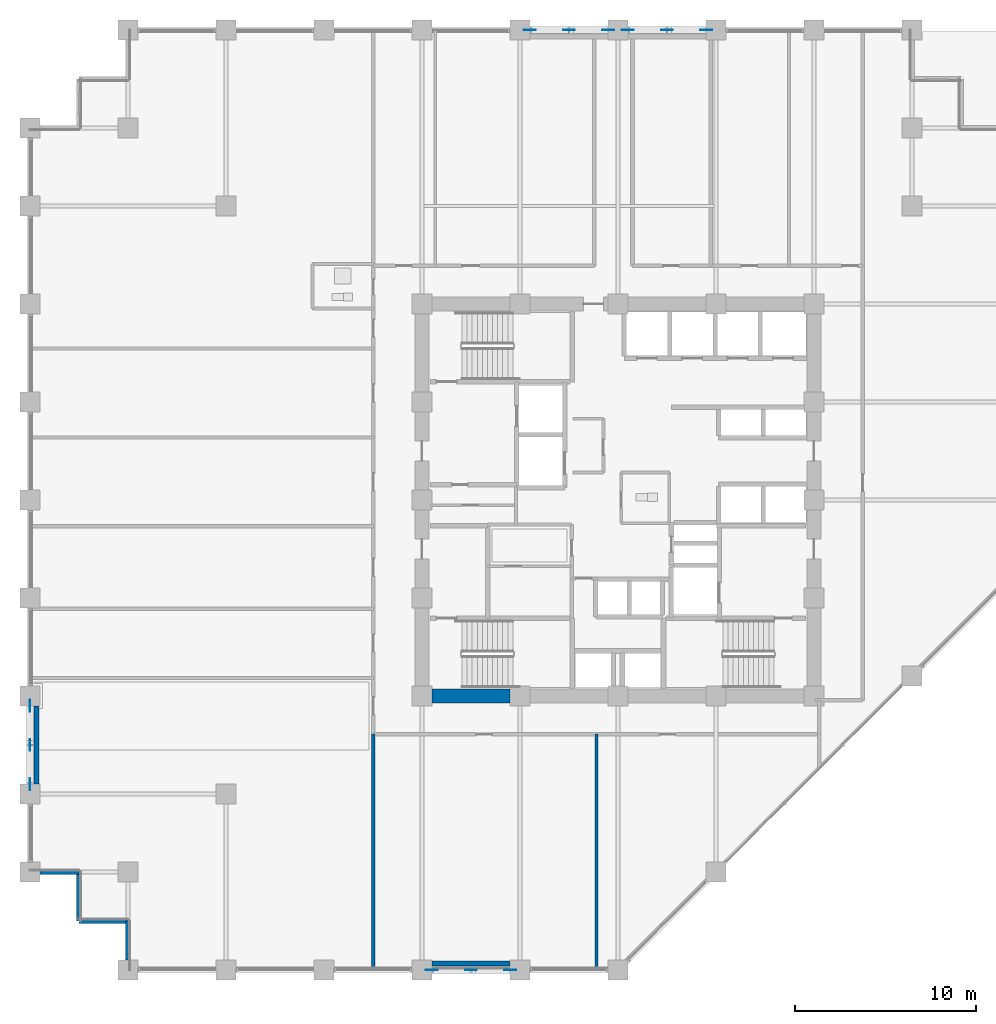
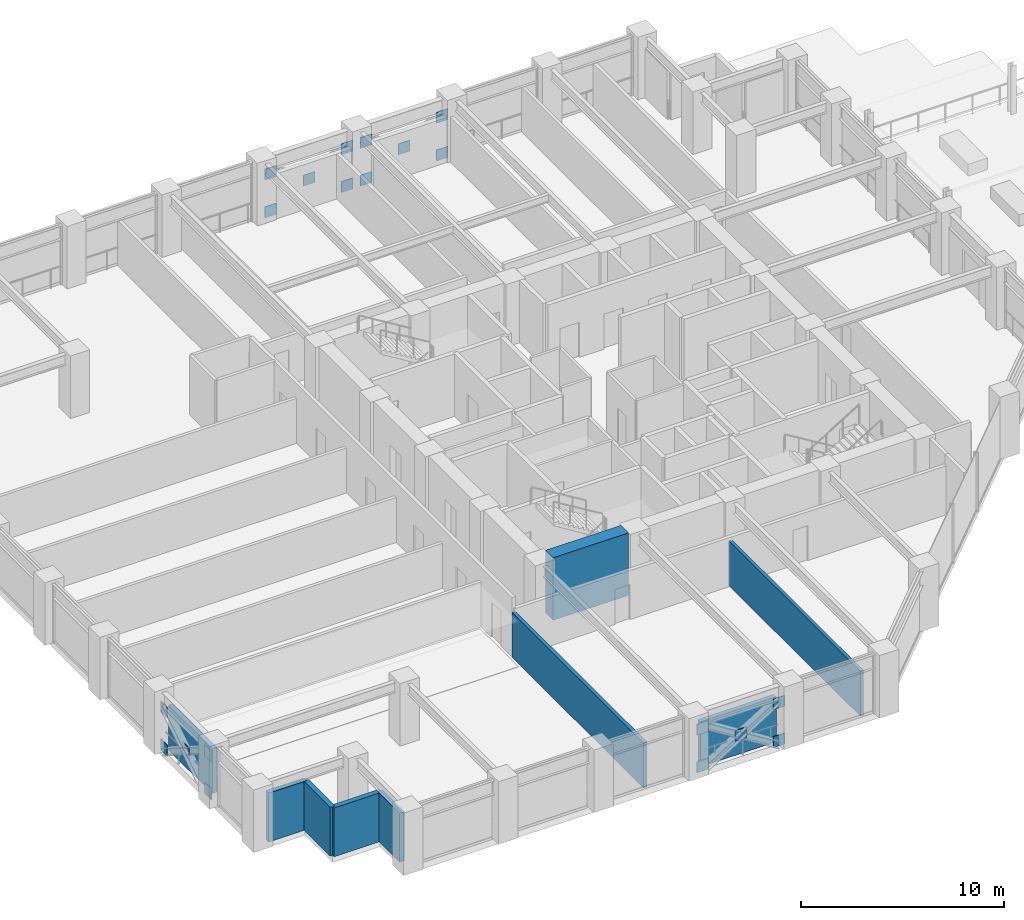
# One storey, part 19 of 30: 20 plates, 9 walls.
"""IFC4 building model written with IfcOpenShell, lengths in metres."""

from ifc_helpers import new_model, si_unit, direction, frame, frame_2d, origin, origin_2d, place, context, subcontext, project, spatial, rectangle, extrude, material, layer, layer_set, type_object, element, save


model = new_model("IFC4")

# Units and contexts
model_context = context("Model", 3, precision=1e-05, world=origin(), true_north=direction((0.0, 1.0)))
body_context = subcontext(model_context, "Body", "Model", "MODEL_VIEW")
ifc_project = project(units=[si_unit("LENGTHUNIT", "METRE"), si_unit("AREAUNIT", "SQUARE_METRE"), si_unit("VOLUMEUNIT", "CUBIC_METRE"), si_unit("PLANEANGLEUNIT", "RADIAN"), si_unit("MASSUNIT", "GRAM", prefix="KILO")], contexts=[model_context])

# Site, building, storey
site_placement = place(None, origin())
site = spatial("IfcSite", under=ifc_project, at=site_placement, CompositionType="ELEMENT")
building_placement = place(site_placement, origin())
building = spatial("IfcBuilding", under=site, at=building_placement, Name="Surkhivell Harbour Commons", CompositionType="ELEMENT")
storey_placement = place(building_placement, frame((0.0, 0.0, 83.25)))
storey = spatial("IfcBuildingStorey", under=building, at=storey_placement, Name="L21", CompositionType="ELEMENT", Elevation=83.25)

# Plates
ifc_material_1 = material(Name="Steel S460", Category="steel")
ifc_layer_1 = layer(ifc_material_1, 0.044921875)
ifc_layer_set_1 = layer_set([ifc_layer_1], Name="Steel S460")
plate_type = type_object("IfcPlateType", Name="PLT-GUS-650", PredefinedType="USERDEFINED", material=ifc_layer_set_1)
for number, where, z_axis, x_axis, name in (
    (1, (-4.864990234375, 25.89990234375, -0.08935546875), (0.0, 0.0, 1.0), (1.0, 0.0, 0.0), "L21 Perimeter Mega-Brace MB- Corner Gusset N-1"),
    (2, (-0.534912109375, 25.89990234375, -0.08935546875), (0.0, 0.0, 1.0), (1.0, 0.0, 0.0), "L21 Perimeter Mega-Brace MB- Corner Gusset N-2"),
    (3, (-4.864990234375, 25.89990234375, 2.170654296875), (0.0, 0.0, 1.0), (1.0, 0.0, 0.0), "L21 Perimeter Mega-Brace MB- Corner Gusset N-3"),
    (4, (-0.534912109375, 25.89990234375, 2.170654296875), (0.0, 0.0, 1.0), (1.0, 0.0, 0.0), "L21 Perimeter Mega-Brace MB- Corner Gusset N-4"),
    (5, (-2.699951171875, 25.89990234375, 1.04052734375), (0.0, 0.0, 1.0), (1.0, 0.0, 0.0), "L21 Perimeter Mega-Brace MB- Central Crossing Gusset N"),
    (6, (0.534912109375, 25.89990234375, -0.08935546875), (0.0, 0.0, 1.0), (1.0, 0.0, 0.0), "L21 Perimeter Mega-Brace MB- Corner Gusset N2-1"),
    (7, (4.864990234375, 25.89990234375, -0.08935546875), (0.0, 0.0, 1.0), (1.0, 0.0, 0.0), "L21 Perimeter Mega-Brace MB- Corner Gusset N2-2"),
    (8, (0.534912109375, 25.89990234375, 2.170654296875), (0.0, 0.0, 1.0), (1.0, 0.0, 0.0), "L21 Perimeter Mega-Brace MB- Corner Gusset N2-3"),
    (9, (4.864990234375, 25.89990234375, 2.170654296875), (0.0, 0.0, 1.0), (1.0, 0.0, 0.0), "L21 Perimeter Mega-Brace MB- Corner Gusset N2-4"),
    (10, (2.699951171875, 25.89990234375, 1.04052734375), (0.0, 0.0, 1.0), (1.0, 0.0, 0.0), "L21 Perimeter Mega-Brace MB- Central Crossing Gusset N2"),
    (11, (-10.264892578125, -25.89990234375, -0.08935546875), (0.0, 0.0, 1.0), (1.0, 0.0, 0.0), "L21 Perimeter Mega-Brace MB- Corner Gusset S-1"),
    (12, (-5.93505859375, -25.89990234375, -0.08935546875), (0.0, 0.0, 1.0), (1.0, 0.0, 0.0), "L21 Perimeter Mega-Brace MB- Corner Gusset S-2"),
    (13, (-10.264892578125, -25.89990234375, 2.170654296875), (0.0, 0.0, 1.0), (1.0, 0.0, 0.0), "L21 Perimeter Mega-Brace MB- Corner Gusset S-3"),
    (14, (-5.93505859375, -25.89990234375, 2.170654296875), (0.0, 0.0, 1.0), (1.0, 0.0, 0.0), "L21 Perimeter Mega-Brace MB- Corner Gusset S-4"),
    (15, (-8.10009765625, -25.89990234375, 1.04052734375), (0.0, 0.0, 1.0), (1.0, 0.0, 0.0), "L21 Perimeter Mega-Brace MB- Central Crossing Gusset S"),
    (16, (-32.39990234375, -15.6650390625, -0.08935546875), (0.0, 0.0, 1.0), (0.0, 1.0, 0.0), "L21 Perimeter Mega-Brace MB- Corner Gusset W-1"),
    (17, (-32.39990234375, -11.3349609375, -0.08935546875), (0.0, 0.0, 1.0), (0.0, 1.0, 0.0), "L21 Perimeter Mega-Brace MB- Corner Gusset W-2"),
    (18, (-32.39990234375, -15.6650390625, 2.170654296875), (0.0, 0.0, 1.0), (0.0, 1.0, 0.0), "L21 Perimeter Mega-Brace MB- Corner Gusset W-3"),
    (19, (-32.39990234375, -11.3349609375, 2.170654296875), (0.0, 0.0, 1.0), (0.0, 1.0, 0.0), "L21 Perimeter Mega-Brace MB- Corner Gusset W-4"),
    (20, (-32.39990234375, -13.5, 1.04052734375), (0.0, 0.0, 1.0), (0.0, 1.0, 0.0), "L21 Perimeter Mega-Brace MB- Central Crossing Gusset W"),
):
    element("IfcPlate", number, at=place(storey_placement, frame(where, z_axis=z_axis, x_axis=x_axis)), inside=storey, type_object=plate_type, Name=name, ObjectType="GUSSET_PLATE", PredefinedType="USERDEFINED", context=body_context, shape_type="SweptSolid", body=[
        extrude(rectangle(XDim=0.64990234375, YDim=0.044921875, at=origin_2d()), origin(), (0.0, 0.0, 1.0), 0.64990234375),
    ])

# Walls
ifc_material_2 = material(Name="Concrete C60/75", Category="concrete")
ifc_layer_2 = layer(ifc_material_2, 0.75)
ifc_layer_set_2 = layer_set([ifc_layer_2], Name="Concrete C60/75")
wall_type_1 = type_object("IfcWallType", Name="WAL-CORE-750", PredefinedType="SHEAR", material=ifc_layer_set_2)
wall_1_placement = place(storey_placement, frame((-10.239990234375, -10.800048828125, 0.0), z_axis=(0.0, 0.0, 1.0), x_axis=(1.0, 0.0, 0.0)))
element("IfcWall", 21, at=wall_1_placement, inside=storey, type_object=wall_type_1, Name="L21 Core Shear Wall South 1", PredefinedType="SHEAR", context=body_context, shape_type="SweptSolid", body=[
    extrude(rectangle(XDim=4.280029296875, YDim=0.75, at=frame_2d((2.14013671875, 0.0))), origin(), (0.0, 0.0, 1.0), 3.75),
])
ifc_material_3 = material(Name="Pale-metal insulated precast concrete C45/55", Category="concrete")
ifc_layer_3 = layer(ifc_material_3, 0.260009765625)
ifc_layer_set_3 = layer_set([ifc_layer_3], Name="Pale-metal insulated precast concrete C45/55")
wall_type_2 = type_object("IfcWallType", Name="WAL-EXT-MTL260", PredefinedType="STANDARD", material=ifc_layer_set_3)
wall_2_placement = place(storey_placement, frame((-10.251953125, -25.5400390625, 0.0), z_axis=(0.0, 0.0, 1.0), x_axis=(1.0, 0.0, 0.0)))
element("IfcWall", 22, at=wall_2_placement, inside=storey, type_object=wall_type_2, Name="L21 Braced-Bay Insulated Spandrel Backing S", PredefinedType="STANDARD", context=body_context, shape_type="SweptSolid", body=[
    extrude(rectangle(XDim=4.303955078125, YDim=0.260009765625, at=frame_2d((2.15185546875, 0.0))), origin(), (0.0, 0.0, 1.0), 2.698974609375),
])
wall_3_placement = place(storey_placement, frame((-32.0400390625, -11.347900390625, 0.0), z_axis=(0.0, 0.0, 1.0), x_axis=(0.0, -1.0, 0.0)))
element("IfcWall", 23, at=wall_3_placement, inside=storey, type_object=wall_type_2, Name="L21 Braced-Bay Insulated Spandrel Backing W", PredefinedType="STANDARD", context=body_context, shape_type="SweptSolid", body=[
    extrude(rectangle(XDim=4.30419921875, YDim=0.260009765625, at=frame_2d((2.152099609375, 0.0))), origin(), (0.0, 0.0, 1.0), 2.698974609375),
])
ifc_material_4 = material(Name="Terracotta-clad reinforced concrete C45/55", Category="masonry")
ifc_layer_4 = layer(ifc_material_4, 0.280029296875)
ifc_layer_set_4 = layer_set([ifc_layer_4], Name="Terracotta-clad reinforced concrete C45/55")
wall_type_3 = type_object("IfcWallType", Name="WAL-EXT-TER280", PredefinedType="STANDARD", material=ifc_layer_set_4)
wall_4_placement = place(storey_placement, frame((-31.85205078125, -20.5, 0.0), z_axis=(0.0, 0.0, 1.0), x_axis=(1.0, 0.0, 0.0)))
element("IfcWall", 24, at=wall_4_placement, inside=storey, type_object=wall_type_3, Name="L21 Serrated Corner Facade Wall 13", PredefinedType="STANDARD", context=body_context, shape_type="SweptSolid", body=[
    extrude(rectangle(XDim=2.152099609375, YDim=0.280029296875, at=frame_2d((1.076171875, 0.0))), origin(), (0.0, 0.0, 1.0), 2.93310546875),
])
for number, where, z_axis, x_axis, name in (
    (25, (-29.699951171875, -20.5, 0.0), (0.0, 0.0, 1.0), (0.0, -1.0, 0.0), "L21 Serrated Corner Facade Wall 14"),
    (26, (-29.699951171875, -23.199951171875, 0.0), (0.0, 0.0, 1.0), (1.0, 0.0, 0.0), "L21 Serrated Corner Facade Wall 15"),
):
    element("IfcWall", number, at=place(storey_placement, frame(where, z_axis=z_axis, x_axis=x_axis)), inside=storey, type_object=wall_type_3, Name=name, PredefinedType="STANDARD", context=body_context, shape_type="SweptSolid", body=[
        extrude(rectangle(XDim=2.699951171875, YDim=0.280029296875, at=frame_2d((1.35009765625, 0.0))), origin(), (0.0, 0.0, 1.0), 2.93310546875),
    ])
wall_5_placement = place(storey_placement, frame((-27.0, -23.199951171875, 0.0), z_axis=(0.0, 0.0, 1.0), x_axis=(0.0, -1.0, 0.0)))
element("IfcWall", 27, at=wall_5_placement, inside=storey, type_object=wall_type_3, Name="L21 Serrated Corner Facade Wall 16", PredefinedType="STANDARD", context=body_context, shape_type="SweptSolid", body=[
    extrude(rectangle(XDim=2.152099609375, YDim=0.280029296875, at=frame_2d((1.076171875, 0.0))), origin(), (0.0, 0.0, 1.0), 2.93310546875),
])
ifc_material_5 = material(Name="High-density acoustic blockwork fire partition", Category="masonry")
ifc_layer_5 = layer(ifc_material_5, 0.175048828125)
ifc_layer_set_5 = layer_set([ifc_layer_5], Name="High-density acoustic blockwork fire partition")
wall_type_4 = type_object("IfcWallType", Name="WAL-INT-175", PredefinedType="PARTITIONING", material=ifc_layer_set_5)
wall_6_placement = place(storey_placement, frame((-1.18994140625, -25.840087890625, 0.0), z_axis=(0.0, 0.0, 1.0), x_axis=(0.0, 1.0, 0.0)))
element("IfcWall", 28, at=wall_6_placement, inside=storey, type_object=wall_type_4, Name="L21 South Partition P1", PredefinedType="PARTITIONING", context=body_context, shape_type="SweptSolid", body=[
    extrude(rectangle(XDim=12.940185546875, YDim=0.175048828125, at=frame_2d((6.47021484375, 0.0))), origin(), (0.0, 0.0, 1.0), 2.698974609375),
])
ifc_material_6 = material(Name="Autoclaved aerated concrete blockwork and fire plaster", Category="masonry")
ifc_layer_6 = layer(ifc_material_6, 0.199951171875)
ifc_layer_set_6 = layer_set([ifc_layer_6], Name="Autoclaved aerated concrete blockwork and fire plaster")
wall_type_5 = type_object("IfcWallType", Name="WAL-INT-200", PredefinedType="PARTITIONING", material=ifc_layer_set_6)
wall_7_placement = place(storey_placement, frame((-13.47998046875, -25.840087890625, 0.0), z_axis=(0.0, 0.0, 1.0), x_axis=(0.0, 1.0, 0.0)))
element("IfcWall", 29, at=wall_7_placement, inside=storey, type_object=wall_type_5, Name="L21 South-West Wing Corner Divider", PredefinedType="PARTITIONING", context=body_context, shape_type="SweptSolid", body=[
    extrude(rectangle(XDim=12.940185546875, YDim=0.199951171875, at=frame_2d((6.47021484375, 0.0))), origin(), (0.0, 0.0, 1.0), 2.698974609375),
])

save(model, "model.ifc")
